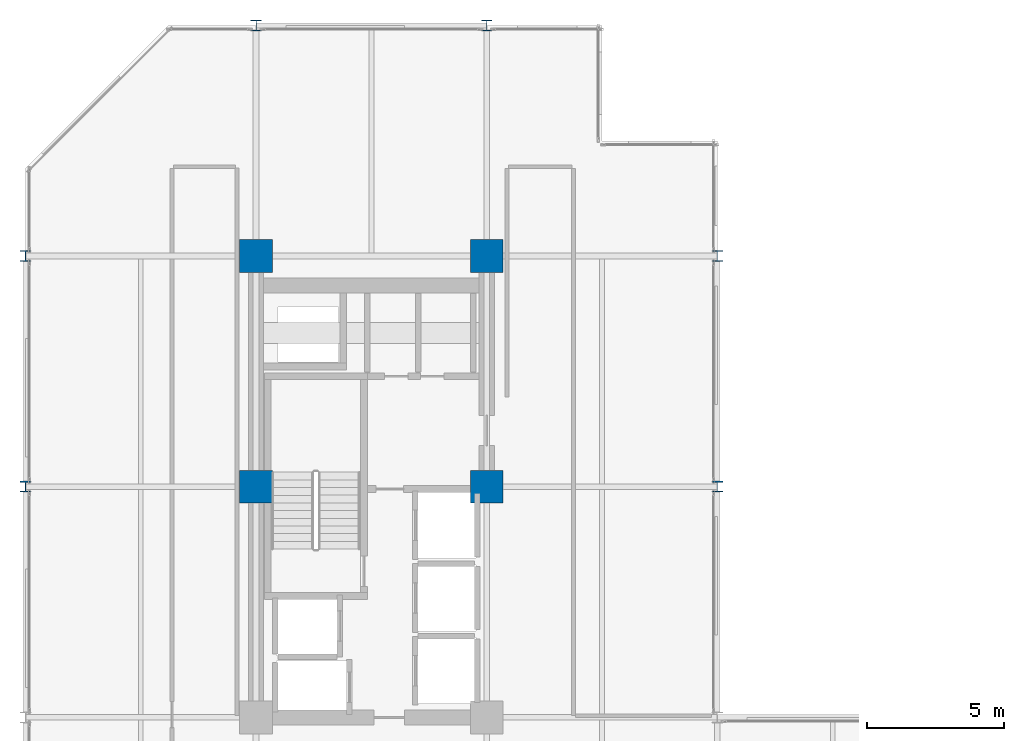
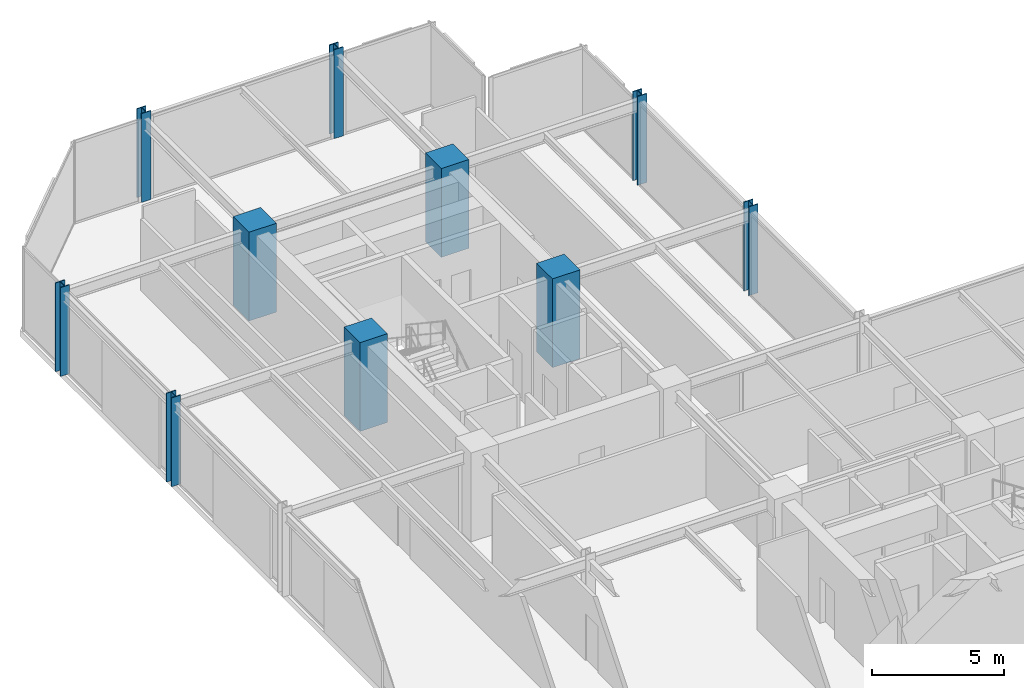
# One storey, part 3 of 38: 10 columns.
"""IFC4 building model written with IfcOpenShell, lengths in metres."""

from ifc_helpers import new_model, si_unit, direction, frame, origin, origin_2d, place, context, subcontext, project, spatial, rectangle, i_section, extrude, material, material_profile, profile_set, type_object, element, save


model = new_model("IFC4")

# Units and contexts
model_context = context("Model", 3, precision=1e-05, world=origin(), true_north=direction((0.0, 1.0)))
body_context = subcontext(model_context, "Body", "Model", "MODEL_VIEW")
ifc_project = project(units=[si_unit("LENGTHUNIT", "METRE"), si_unit("AREAUNIT", "SQUARE_METRE"), si_unit("VOLUMEUNIT", "CUBIC_METRE"), si_unit("PLANEANGLEUNIT", "RADIAN"), si_unit("MASSUNIT", "GRAM", prefix="KILO")], contexts=[model_context])

# Site, building, storey
site_placement = place(None, origin())
site = spatial("IfcSite", under=ifc_project, at=site_placement, CompositionType="ELEMENT")
building_placement = place(site_placement, origin())
building = spatial("IfcBuilding", under=site, at=building_placement, Name="Nerrivon Quay Data Exchange", CompositionType="ELEMENT")
storey_placement = place(building_placement, frame((0.0, 0.0, 84.39990234375)))
storey = spatial("IfcBuildingStorey", under=building, at=storey_placement, Name="L19", CompositionType="ELEMENT", Elevation=84.39990234375)

# Columns
ifc_material_1 = material(Name="Concrete S65 (65 MPa)", Category="concrete")
ifc_material_profile_1 = material_profile(ifc_material_1, rectangle(XDim=1.199951171875, YDim=1.199951171875, at=origin_2d()), Name="RC-COL-1200x1200")
ifc_profile_set_1 = profile_set([ifc_material_profile_1], Name="Concrete S65 (65 MPa)")
column_type_1 = type_object("IfcColumnType", Name="COL-C3-1200", PredefinedType="COLUMN", material=ifc_profile_set_1)
for number, where, z_axis, x_axis, name in (
    (1, (8.39990234375, 33.60009765625, 0.0), (0.0, 0.0, 1.0), (1.0, 0.0, 0.0), "L19 Column (8.4,33.6)"),
    (2, (8.39990234375, 42.0, 0.0), (0.0, 0.0, 1.0), (1.0, 0.0, 0.0), "L19 Column (8.4,42.0)"),
    (3, (16.800048828125, 33.60009765625, 0.0), (0.0, 0.0, 1.0), (1.0, 0.0, 0.0), "L19 Column (16.8,33.6)"),
    (4, (16.800048828125, 42.0, 0.0), (0.0, 0.0, 1.0), (1.0, 0.0, 0.0), "L19 Column (16.8,42.0)"),
):
    element("IfcColumn", number, at=place(storey_placement, frame(where, z_axis=z_axis, x_axis=x_axis)), inside=storey, type_object=column_type_1, Name=name, PredefinedType="COLUMN", context=body_context, shape_type="SweptSolid", body=[
        extrude(rectangle(XDim=1.199951171875, YDim=1.199951171875, at=origin_2d()), origin(), (0.0, 0.0, 1.0), 4.10009765625),
    ])
ifc_material_2 = material(Name="Steel Grade 350", Category="steel")
ifc_material_profile_2 = material_profile(ifc_material_2, i_section(OverallWidth=0.39990234375, OverallDepth=0.39990234375, WebThickness=0.02490234375, FlangeThickness=0.0400390625, at=origin_2d()), Name="400WC328")
ifc_profile_set_2 = profile_set([ifc_material_profile_2], Name="Steel Grade 350")
column_type_2 = type_object("IfcColumnType", Name="COL-SC2-400WC", PredefinedType="COLUMN", material=ifc_profile_set_2)
for number, where, z_axis, x_axis, name in (
    (5, (0.0, 33.60009765625, 0.0), (0.0, 0.0, 1.0), (1.0, 0.0, 0.0), "L19 Column (0.0,33.6)"),
    (6, (0.0, 42.0, 0.0), (0.0, 0.0, 1.0), (1.0, 0.0, 0.0), "L19 Column (0.0,42.0)"),
    (7, (8.39990234375, 50.39990234375, 0.0), (0.0, 0.0, 1.0), (1.0, 0.0, 0.0), "L19 Column (8.4,50.4)"),
    (8, (16.800048828125, 50.39990234375, 0.0), (0.0, 0.0, 1.0), (1.0, 0.0, 0.0), "L19 Column (16.8,50.4)"),
    (9, (25.199951171875, 33.60009765625, 0.0), (0.0, 0.0, 1.0), (1.0, 0.0, 0.0), "L19 Column (25.2,33.6)"),
    (10, (25.199951171875, 42.0, 0.0), (0.0, 0.0, 1.0), (1.0, 0.0, 0.0), "L19 Column (25.2,42.0)"),
):
    element("IfcColumn", number, at=place(storey_placement, frame(where, z_axis=z_axis, x_axis=x_axis)), inside=storey, type_object=column_type_2, Name=name, PredefinedType="COLUMN", context=body_context, shape_type="SweptSolid", body=[
        extrude(i_section(OverallWidth=0.39990234375, OverallDepth=0.39990234375, WebThickness=0.02490234375, FlangeThickness=0.0400390625, at=origin_2d()), origin(), (0.0, 0.0, 1.0), 4.10009765625),
    ])

save(model, "model.ifc")
